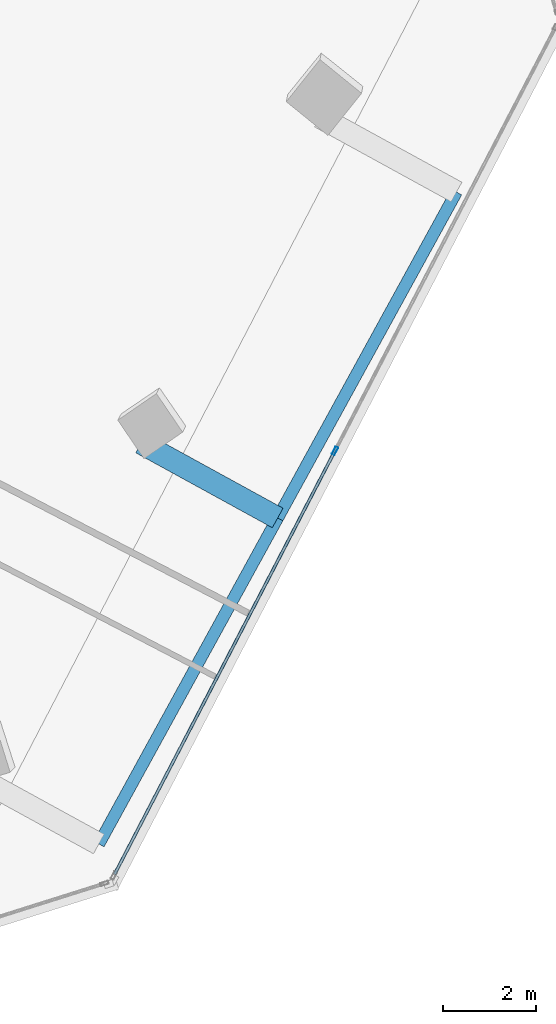
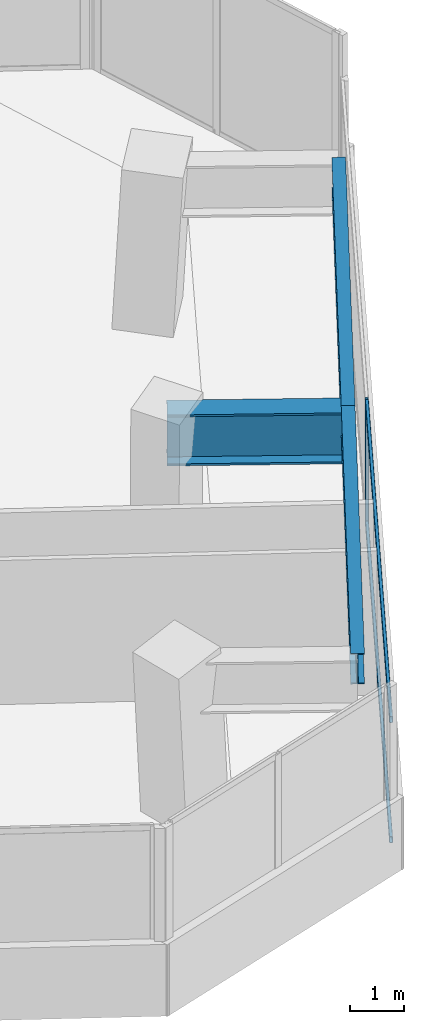
# One storey, part 8 of 22: 3 beams, 3 members, 1 element without a shape of its own.
"""IFC4 building model written with IfcOpenShell, lengths in metres."""

from ifc_helpers import new_model, si_unit, direction, frame, origin, origin_2d, place, context, subcontext, project, spatial, hollow_rectangle, i_section, extrude, source, transform, mapped, material, material_profile, profile_set, type_object, element, aggregate, save


model = new_model("IFC4")

# Units and contexts
model_context = context("Model", 3, precision=1e-05, world=origin(), true_north=direction((0.0, 1.0)))
body_context = subcontext(model_context, "Body", "Model", "MODEL_VIEW")
ifc_project = project(units=[si_unit("LENGTHUNIT", "METRE"), si_unit("AREAUNIT", "SQUARE_METRE"), si_unit("VOLUMEUNIT", "CUBIC_METRE"), si_unit("PLANEANGLEUNIT", "RADIAN"), si_unit("MASSUNIT", "GRAM", prefix="KILO")], contexts=[model_context])

# Site, building, storey
site_placement = place(None, origin())
site = spatial("IfcSite", under=ifc_project, at=site_placement, CompositionType="ELEMENT")
building_placement = place(site_placement, origin())
building = spatial("IfcBuilding", under=site, at=building_placement, Name="Torre Montelarca", CompositionType="ELEMENT")
storey_placement = place(building_placement, frame((0.0, 0.0, 170.800048828125)))
storey = spatial("IfcBuildingStorey", under=building, at=storey_placement, Name="L38", CompositionType="ELEMENT", Elevation=170.800048828125)

# Beams
ifc_material_1 = material(Name="Steel ASTM A572 Grade 50", Category="steel")
ifc_material_profile_1 = material_profile(ifc_material_1, i_section(OverallWidth=0.47998046875, OverallDepth=1.14990234375, WebThickness=0.02197265625, FlangeThickness=0.044921875, at=origin_2d()), Name="PG1150X480X22X45", Category="steel")
ifc_profile_set_1 = profile_set([ifc_material_profile_1], Name="Steel ASTM A572 Grade 50")
beam_type_1 = type_object("IfcBeamType", Name="BM-CG-PG1400-EXT", PredefinedType="USERDEFINED", material=ifc_profile_set_1)
shared_shape_1 = source(origin(), body_context, "Body", "SweptSolid", [
    extrude(i_section(OverallWidth=0.47998046875, OverallDepth=1.14990234375, WebThickness=0.02197265625, FlangeThickness=0.044921875, at=origin_2d()), origin(), (0.0, 0.0, 1.0), 3.35009765625),
])
beam_1_placement = place(storey_placement, frame((44.7333984375, 19.25390625, 3.385009765625), z_axis=(0.876723190824, -0.480995266786, 0.0), x_axis=(0.480995266786, 0.876723190824, 0.0)))
element("IfcBeam", 1, at=beam_1_placement, inside=storey, type_object=beam_type_1, Name="L38 Sliding Tray Cantilever Girder East Y=32m (FLR)", ObjectType="CANTILEVER GIRDER", PredefinedType="USERDEFINED", context=body_context, shape_type="MappedRepresentation", body=[
    mapped(shared_shape_1, transform((0.0, 0.0, 0.0), scale=1.0)),
])
ifc_material_2 = material(Name="Steel ASTM A992 Grade 50", Category="steel")
ifc_material_profile_2 = material_profile(ifc_material_2, i_section(OverallWidth=0.256103515625, OverallDepth=0.693115234375, WebThickness=0.014404296875, FlangeThickness=0.023681640625, FilletRadius=0.01806640625, at=origin_2d()), Name="W690X170", Category="steel")
ifc_profile_set_2 = profile_set([ifc_material_profile_2], Name="Steel ASTM A992 Grade 50")
beam_type_2 = type_object("IfcBeamType", Name="BM-G-W690-EXT", PredefinedType="BEAM", material=ifc_profile_set_2)
shared_shape_2 = source(origin(), body_context, "Body", "SweptSolid", [
    extrude(i_section(OverallWidth=0.256103515625, OverallDepth=0.693115234375, WebThickness=0.014404296875, FlangeThickness=0.023681640625, FilletRadius=0.01806640625, at=origin_2d()), origin(), (0.0, 0.0, 1.0), 8.0),
])
beam_2_placement = place(storey_placement, frame((43.822509765625, 10.628662109375, 3.614013671875), z_axis=(0.480982456114, 0.876730219002, 0.0), x_axis=(-0.876730219002, 0.480982456114, 0.0)))
element("IfcBeam", 2, at=beam_2_placement, inside=storey, type_object=beam_type_2, Name="L38 Sliding Tray Edge Girder East 24-32m (FLR)", PredefinedType="BEAM", context=body_context, shape_type="MappedRepresentation", body=[
    mapped(shared_shape_2, transform((0.0, 0.0, 0.0), scale=1.0)),
])
shared_shape_3 = source(origin(), body_context, "Body", "SweptSolid", [
    extrude(i_section(OverallWidth=0.256103515625, OverallDepth=0.693115234375, WebThickness=0.014404296875, FlangeThickness=0.023681640625, FilletRadius=0.01806640625, at=origin_2d()), origin(), (0.0, 0.0, 1.0), 7.999755859375),
])
beam_3_placement = place(storey_placement, frame((47.67041015625, 17.642578125, 3.614013671875), z_axis=(0.480995325284, 0.876723158731, 0.0), x_axis=(-0.876723158731, 0.480995325284, 0.0)))
element("IfcBeam", 3, at=beam_3_placement, inside=storey, type_object=beam_type_2, Name="L38 Sliding Tray Edge Girder East 32-40m (FLR)", PredefinedType="BEAM", context=body_context, shape_type="MappedRepresentation", body=[
    mapped(shared_shape_3, transform((0.0, 0.0, 0.0), scale=1.0)),
])

# Curtain wall, members
ifc_material_3 = material(Name="Insulated low-E laminated glass", Category="glass")
curtain_wall_type = type_object("IfcCurtainWallType", Name="CW-SYS-Z2", PredefinedType="USERDEFINED", material=ifc_material_3)
curtain_wall_placement = place(storey_placement, origin())
curtain_wall = element("IfcCurtainWall", 4, at=curtain_wall_placement, inside=storey, type_object=curtain_wall_type, Name="L38 Curtain Wall Run CW-T3-L38-E06-B1", ObjectType="UNITISED GLAZING", PredefinedType="USERDEFINED")
ifc_material_4 = material(Name="Anodised aluminium AA 6063-T6", Category="aluminium")
ifc_material_profile_3 = material_profile(ifc_material_4, hollow_rectangle(XDim=0.06494140625, YDim=0.179931640625, WallThickness=0.00390625, InnerFilletRadius=0.00390625, OuterFilletRadius=0.008056640625, at=origin_2d()), Name="ALU65X180X4", Category="aluminium")
ifc_profile_set_3 = profile_set([ifc_material_profile_3], Name="Anodised aluminium AA 6063-T6")
member_type_1 = type_object("IfcMemberType", Name="CWM-ALU180", PredefinedType="MULLION", material=ifc_profile_set_3)
shared_shape_4 = source(origin(), body_context, "Body", "SweptSolid", [
    extrude(hollow_rectangle(XDim=0.06494140625, YDim=0.179931640625, WallThickness=0.00390625, InnerFilletRadius=0.00390625, OuterFilletRadius=0.008056640625, at=origin_2d()), origin(), (0.0, 0.0, 1.0), 2.77490234375),
])
member_1_placement = place(storey_placement, frame((48.904052734375, 19.08740234375, 0.0), z_axis=(0.0, 0.0, 1.0), x_axis=(-0.887014000849, 0.461742528145, 0.0)))
member_1 = element("IfcMember", 5, at=member_1_placement, type_object=member_type_1, Name="CW mullion 2", PredefinedType="MULLION", context=body_context, shape_type="MappedRepresentation", body=[
    mapped(shared_shape_4, transform((0.0, 0.0, 0.0), scale=1.0)),
])
ifc_material_profile_4 = material_profile(ifc_material_4, hollow_rectangle(XDim=0.06494140625, YDim=0.139892578125, WallThickness=0.00390625, InnerFilletRadius=0.00390625, OuterFilletRadius=0.008056640625, at=origin_2d()), Name="ALU65X140X4", Category="aluminium")
ifc_profile_set_4 = profile_set([ifc_material_profile_4], Name="Anodised aluminium AA 6063-T6")
member_type_2 = type_object("IfcMemberType", Name="CWT-ALU140", PredefinedType="USERDEFINED", material=ifc_profile_set_4)
shared_shape_5 = source(origin(), body_context, "Body", "SweptSolid", [
    extrude(hollow_rectangle(XDim=0.06494140625, YDim=0.139892578125, WallThickness=0.00390625, InnerFilletRadius=0.00390625, OuterFilletRadius=0.008056640625, at=origin_2d()), origin(), (0.0, 0.0, 1.0), 10.237060546875),
])
member_2_placement = place(storey_placement, frame((44.162109375, 9.978271484375, 0.032470703125), z_axis=(0.461740163531, 0.887015231765, 0.0), x_axis=(-0.887015231765, 0.461740163531, 0.0)))
member_2 = element("IfcMember", 6, at=member_2_placement, type_object=member_type_2, Name="CW transom 1.1", ObjectType="TRANSOM", PredefinedType="USERDEFINED", context=body_context, shape_type="MappedRepresentation", body=[
    mapped(shared_shape_5, transform((0.0, 0.0, 0.0), scale=1.0)),
])
member_3_placement = place(storey_placement, frame((44.162109375, 9.978271484375, 2.742431640625), z_axis=(0.461740163531, 0.887015231765, 0.0), x_axis=(-0.887015231765, 0.461740163531, 0.0)))
member_3 = element("IfcMember", 7, at=member_3_placement, type_object=member_type_2, Name="CW transom 1.2", ObjectType="TRANSOM", PredefinedType="USERDEFINED", context=body_context, shape_type="MappedRepresentation", body=[
    mapped(shared_shape_5, transform((0.0, 0.0, 0.0), scale=1.0)),
])
aggregate(curtain_wall, [member_1, member_2, member_3])

save(model, "model.ifc")
